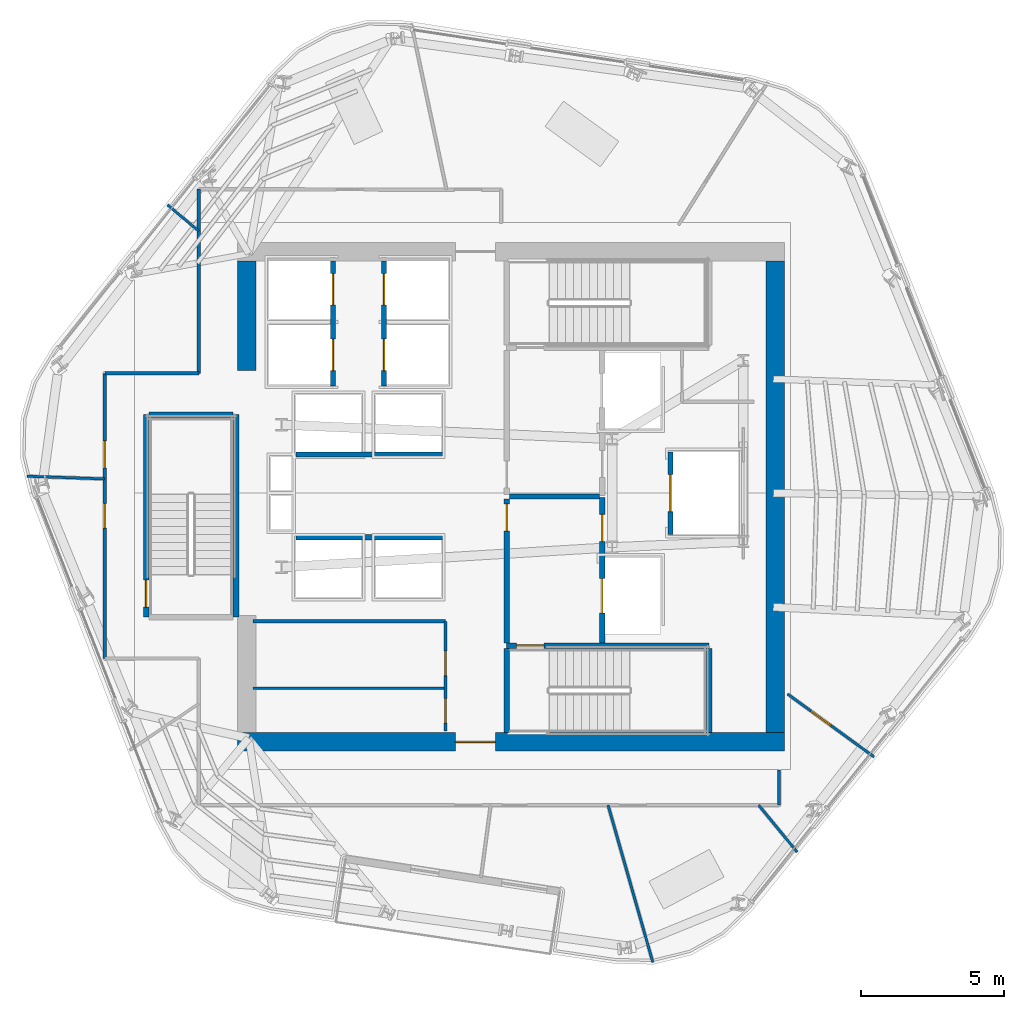
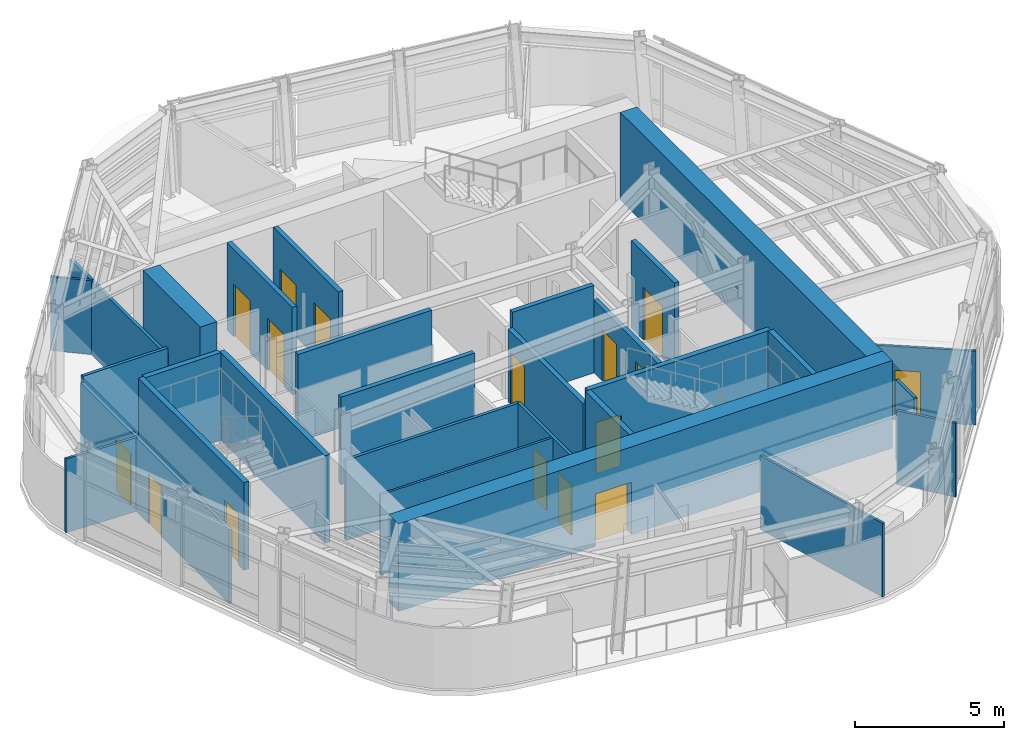
# One storey, part 6 of 12: 29 walls, 16 doors, 16 openings.
"""IFC4 building model written with IfcOpenShell, lengths in metres."""

from ifc_helpers import new_model, si_unit, direction, frame, frame_2d, origin, place, context, subcontext, project, spatial, rectangle, extrude, material, layer, layer_set, type_object, element, fill, save


model = new_model("IFC4")

# Units and contexts
model_context = context("Model", 3, precision=1e-05, world=origin(), true_north=direction((0.0, 1.0)))
body_context = subcontext(model_context, "Body", "Model", "MODEL_VIEW")
ifc_project = project(units=[si_unit("LENGTHUNIT", "METRE"), si_unit("AREAUNIT", "SQUARE_METRE"), si_unit("VOLUMEUNIT", "CUBIC_METRE"), si_unit("PLANEANGLEUNIT", "RADIAN"), si_unit("MASSUNIT", "GRAM", prefix="KILO")], contexts=[model_context])

# Site, building, storey
site_placement = place(None, origin())
site = spatial("IfcSite", under=ifc_project, at=site_placement, CompositionType="ELEMENT")
building_placement = place(site_placement, origin())
building = spatial("IfcBuilding", under=site, at=building_placement, Name="Valkerne Bourse Tower", CompositionType="ELEMENT")
storey_placement = place(building_placement, frame((0.0, 0.0, 243.60009765625)))
storey = spatial("IfcBuildingStorey", under=building, at=storey_placement, Name="L62", CompositionType="ELEMENT", Elevation=243.60009765625)

# Wall, opening, door
ifc_material_1 = material(Name="Concrete C55/67", Category="concrete")
ifc_layer_1 = layer(ifc_material_1, 0.64990234375)
ifc_layer_set_1 = layer_set([ifc_layer_1], Name="Concrete C55/67")
wall_type_1 = type_object("IfcWallType", Name="W-CORE-650", PredefinedType="SHEAR", material=ifc_layer_set_1)
wall_1_placement = place(storey_placement, frame((37.199951171875, 18.27490234375, 0.0), z_axis=(0.0, 0.0, 1.0), x_axis=(1.0, 0.0, 0.0)))
wall_1 = element("IfcWall", 1, at=wall_1_placement, inside=storey, type_object=wall_type_1, Name="L62 Core Shear Wall SOUTH", PredefinedType="SHEAR", context=body_context, shape_type="SweptSolid", body=[
    extrude(rectangle(XDim=19.199951171875, YDim=0.64990234375, at=frame_2d((9.60009765625, 0.0))), origin(), (0.0, 0.0, 1.0), 3.599853515625),
])
opening_1_placement = place(wall_1_placement, frame((7.64990234375, 0.0, 0.0)))
opening_1 = element("IfcOpeningElement", 2, at=opening_1_placement, cuts=wall_1, Name="Opening D-PL-1400", PredefinedType="OPENING", context=body_context, shape_type="SweptSolid", body=[
    extrude(rectangle(XDim=1.39990234375, YDim=2.14990234375, at=frame_2d((0.699951171875, 1.074951171875))), frame((0.0, 0.3349609375, 0.0), z_axis=(0.0, -1.0, 0.0), x_axis=(1.0, 0.0, 0.0)), (0.0, 0.0, 1.0), 0.669921875),
])
ifc_material_2 = material(Name="Galvanised Painted Steel", Category="steel")
door_type_1 = type_object("IfcDoorType", Name="DR-PLT-1400", OperationType="DOUBLE_DOOR_SINGLE_SWING", PredefinedType="DOOR", material=ifc_material_2)
door_1_placement = place(opening_1_placement, origin())
door_1 = element("IfcDoor", 3, at=door_1_placement, inside=storey, type_object=door_type_1, Name="L62 South Passenger Lift Hall Fire Door", OperationType="DOUBLE_DOOR_SINGLE_SWING", OverallHeight=2.14990234375, OverallWidth=1.39990234375, PredefinedType="DOOR", context=body_context, shape_type="SweptSolid", body=[
    extrude(rectangle(XDim=1.39990234375, YDim=2.14990234375, at=frame_2d((0.699951171875, 1.074951171875))), frame((0.0, 0.02490234375, 0.0), z_axis=(0.0, -1.0, 0.0), x_axis=(1.0, 0.0, 0.0)), (0.0, 0.0, 1.0), 0.050048828125),
])
fill(opening_1, door_1)

# Walls
wall_2_placement = place(storey_placement, frame((56.074951171875, 18.60009765625, 0.0), z_axis=(0.0, 0.0, 1.0), x_axis=(0.0, 1.0, 0.0)))
element("IfcWall", 4, at=wall_2_placement, inside=storey, type_object=wall_type_1, Name="L62 Core Shear Wall EAST", PredefinedType="SHEAR", context=body_context, shape_type="SweptSolid", body=[
    extrude(rectangle(XDim=16.5498046875, YDim=0.64990234375, at=frame_2d((8.27490234375, 0.0))), origin(), (0.0, 0.0, 1.0), 3.599853515625),
])
wall_3_placement = place(storey_placement, frame((37.52490234375, 31.300048828125, 0.0), z_axis=(0.0, 0.0, 1.0), x_axis=(0.0, 1.0, 0.0)))
element("IfcWall", 5, at=wall_3_placement, inside=storey, type_object=wall_type_1, Name="L62 Core Shear Wall WEST-N", PredefinedType="SHEAR", context=body_context, shape_type="SweptSolid", body=[
    extrude(rectangle(XDim=3.849853515625, YDim=0.64990234375, at=frame_2d((1.9248046875, 0.0))), origin(), (0.0, 0.0, 1.0), 3.599853515625),
])

# Wall, openings, doors
ifc_material_3 = material(Name="Gypsum Board Steel-Stud Partition", Category="steel")
ifc_layer_2 = layer(ifc_material_3, 0.117919921875)
ifc_layer_set_2 = layer_set([ifc_layer_2], Name="Gypsum Board Steel-Stud Partition")
wall_type_2 = type_object("IfcWallType", Name="W-CORR-140", PredefinedType="PARTITIONING", material=ifc_layer_set_2)
wall_4_placement = place(storey_placement, frame((44.5, 18.64990234375, 0.0), z_axis=(0.0, 0.0, 1.0), x_axis=(0.0, 1.0, 0.0)))
wall_4 = element("IfcWall", 6, at=wall_4_placement, inside=storey, type_object=wall_type_2, Name="L62 LV7 Low-Bank East Wall", PredefinedType="PARTITIONING", context=body_context, shape_type="SweptSolid", body=[
    extrude(rectangle(XDim=3.85009765625, YDim=0.117919921875, at=frame_2d((1.925048828125, 0.0))), origin(), (0.0, 0.0, 1.0), 3.2998046875),
])
opening_2_placement = place(wall_4_placement, frame((0.280029296875, 0.0, 0.0)))
opening_2 = element("IfcOpeningElement", 7, at=opening_2_placement, cuts=wall_4, Name="Opening D-WC-900", PredefinedType="OPENING", context=body_context, shape_type="SweptSolid", body=[
    extrude(rectangle(XDim=0.860107421875, YDim=2.050048828125, at=frame_2d((0.43017578125, 1.02490234375))), frame((0.0, 0.06884765625, 0.0), z_axis=(0.0, -1.0, 0.0), x_axis=(1.0, 0.0, 0.0)), (0.0, 0.0, 1.0), 0.137939453125),
])
opening_3_placement = place(wall_4_placement, frame((1.949951171875, 0.0, 0.0)))
opening_3 = element("IfcOpeningElement", 8, at=opening_3_placement, cuts=wall_4, Name="Opening D-WC-900", PredefinedType="OPENING", context=body_context, shape_type="SweptSolid", body=[
    extrude(rectangle(XDim=0.860107421875, YDim=2.050048828125, at=frame_2d((0.43017578125, 1.02490234375))), frame((0.0, 0.06884765625, 0.0), z_axis=(0.0, -1.0, 0.0), x_axis=(1.0, 0.0, 0.0)), (0.0, 0.0, 1.0), 0.137939453125),
])
ifc_material_4 = material(Name="Architectural White Oak Timber", Category="wood")
door_type_2 = type_object("IfcDoorType", Name="DR-WC-900", OperationType="NOTDEFINED", PredefinedType="DOOR", material=ifc_material_4)
door_2_placement = place(opening_2_placement, origin())
door_2 = element("IfcDoor", 9, at=door_2_placement, inside=storey, type_object=door_type_2, Name="L62 Tea Pantry Door", OperationType="SINGLE_SWING_RIGHT", OverallHeight=2.050048828125, OverallWidth=0.860107421875, PredefinedType="DOOR", context=body_context, shape_type="SweptSolid", body=[
    extrude(rectangle(XDim=0.860107421875, YDim=2.050048828125, at=frame_2d((0.43017578125, 1.02490234375))), frame((0.0, 0.02490234375, 0.0), z_axis=(0.0, -1.0, 0.0), x_axis=(1.0, 0.0, 0.0)), (0.0, 0.0, 1.0), 0.050048828125),
])
fill(opening_2, door_2)
door_3_placement = place(opening_3_placement, origin())
door_3 = element("IfcDoor", 10, at=door_3_placement, inside=storey, type_object=door_type_2, Name="L62 Portfolio Risk Office Door", OperationType="SINGLE_SWING_RIGHT", OverallHeight=2.050048828125, OverallWidth=0.860107421875, PredefinedType="DOOR", context=body_context, shape_type="SweptSolid", body=[
    extrude(rectangle(XDim=0.860107421875, YDim=2.050048828125, at=frame_2d((0.43017578125, 1.02490234375))), frame((0.0, 0.02490234375, 0.0), z_axis=(0.0, -1.0, 0.0), x_axis=(1.0, 0.0, 0.0)), (0.0, 0.0, 1.0), 0.050048828125),
])
fill(opening_3, door_3)

# Wall
wall_5_placement = place(storey_placement, frame((37.75, 22.5, 0.0), z_axis=(0.0, 0.0, 1.0), x_axis=(1.0, 0.0, 0.0)))
element("IfcWall", 11, at=wall_5_placement, inside=storey, type_object=wall_type_2, Name="L62 LV7 Low-Bank North Wall", PredefinedType="PARTITIONING", context=body_context, shape_type="SweptSolid", body=[
    extrude(rectangle(XDim=6.75, YDim=0.117919921875, at=frame_2d((3.375, 0.0))), origin(), (0.0, 0.0, 1.0), 3.2998046875),
])

# Wall, openings, doors
wall_6_placement = place(storey_placement, frame((32.550048828125, 21.199951171875, 0.0), z_axis=(0.0, 0.0, 1.0), x_axis=(0.0, 1.0, 0.0)))
wall_6 = element("IfcWall", 12, at=wall_6_placement, inside=storey, type_object=wall_type_2, Name="L62 Corridor Enclosure Wall", PredefinedType="PARTITIONING", context=body_context, shape_type="SweptSolid", body=[
    extrude(rectangle(XDim=10.0, YDim=0.117919921875, at=frame_2d((5.0, 0.0))), origin(), (0.0, 0.0, 1.0), 3.0361328125),
])
opening_4_placement = place(wall_6_placement, frame((4.570068359375, 0.0, 0.0)))
opening_4 = element("IfcOpeningElement", 13, at=opening_4_placement, cuts=wall_6, Name="Opening D-WC-900", PredefinedType="OPENING", context=body_context, shape_type="SweptSolid", body=[
    extrude(rectangle(XDim=0.860107421875, YDim=2.050048828125, at=frame_2d((0.43017578125, 1.02490234375))), frame((0.0, 0.06884765625, 0.0), z_axis=(0.0, -1.0, 0.0), x_axis=(1.0, 0.0, 0.0)), (0.0, 0.0, 1.0), 0.137939453125),
])
opening_5_placement = place(wall_6_placement, frame((6.68505859375, 0.0, 0.0)))
opening_5 = element("IfcOpeningElement", 14, at=opening_5_placement, cuts=wall_6, Name="Opening D-OF-950", PredefinedType="OPENING", context=body_context, shape_type="SweptSolid", body=[
    extrude(rectangle(XDim=0.949951171875, YDim=2.10009765625, at=frame_2d((0.47509765625, 1.050048828125))), frame((0.0, 0.06884765625, 0.0), z_axis=(0.0, -1.0, 0.0), x_axis=(1.0, 0.0, 0.0)), (0.0, 0.0, 1.0), 0.137939453125),
])
door_type_3 = type_object("IfcDoorType", Name="DR-OFF-950", OperationType="NOTDEFINED", PredefinedType="DOOR", material=ifc_material_4)
door_4_placement = place(opening_5_placement, origin())
door_4 = element("IfcDoor", 15, at=door_4_placement, inside=storey, type_object=door_type_3, Name="L62 L62 VIP Client Concierge Reception 4 Door", OperationType="SINGLE_SWING_LEFT", OverallHeight=2.10009765625, OverallWidth=0.949951171875, PredefinedType="DOOR", context=body_context, shape_type="SweptSolid", body=[
    extrude(rectangle(XDim=0.949951171875, YDim=2.10009765625, at=frame_2d((0.47509765625, 1.050048828125))), frame((0.0, 0.02490234375, 0.0), z_axis=(0.0, -1.0, 0.0), x_axis=(1.0, 0.0, 0.0)), (0.0, 0.0, 1.0), 0.050048828125),
])
fill(opening_5, door_4)
door_5_placement = place(opening_4_placement, origin())
door_5 = element("IfcDoor", 16, at=door_5_placement, inside=storey, type_object=door_type_2, Name="L62 L62 Men Bathroom WC 1 Door", OperationType="SINGLE_SWING_RIGHT", OverallHeight=2.050048828125, OverallWidth=0.860107421875, PredefinedType="DOOR", context=body_context, shape_type="SweptSolid", body=[
    extrude(rectangle(XDim=0.860107421875, YDim=2.050048828125, at=frame_2d((0.43017578125, 1.02490234375))), frame((0.0, 0.02490234375, 0.0), z_axis=(0.0, -1.0, 0.0), x_axis=(1.0, 0.0, 0.0)), (0.0, 0.0, 1.0), 0.050048828125),
])
fill(opening_4, door_5)

# Walls
wall_7_placement = place(storey_placement, frame((32.550048828125, 31.199951171875, 0.0), z_axis=(0.0, 0.0, 1.0), x_axis=(1.0, 0.0, 0.0)))
element("IfcWall", 17, at=wall_7_placement, inside=storey, type_object=wall_type_2, Name="L62 Corridor Enclosure Wall", PredefinedType="PARTITIONING", context=body_context, shape_type="SweptSolid", body=[
    extrude(rectangle(XDim=3.300048828125, YDim=0.117919921875, at=frame_2d((1.64990234375, 0.0))), origin(), (0.0, 0.0, 1.0), 3.2998046875),
])
wall_8_placement = place(storey_placement, frame((35.85009765625, 31.199951171875, 0.0), z_axis=(0.0, 0.0, 1.0), x_axis=(0.0, 1.0, 0.0)))
element("IfcWall", 18, at=wall_8_placement, inside=storey, type_object=wall_type_2, Name="L62 Corridor Enclosure Wall", PredefinedType="PARTITIONING", context=body_context, shape_type="SweptSolid", body=[
    extrude(rectangle(XDim=6.4599609375, YDim=0.117919921875, at=frame_2d((3.22998046875, 0.0))), origin(), (0.0, 0.0, 1.0), 3.0361328125),
])
wall_9_placement = place(storey_placement, frame((56.199951171875, 17.2900390625, 0.0), z_axis=(0.0, 0.0, 1.0), x_axis=(0.0, -1.0, 0.0)))
element("IfcWall", 19, at=wall_9_placement, inside=storey, type_object=wall_type_2, Name="L62 Corridor Enclosure Wall", PredefinedType="PARTITIONING", context=body_context, shape_type="SweptSolid", body=[
    extrude(rectangle(XDim=1.22998046875, YDim=0.117919921875, at=frame_2d((0.614990234375, 0.0))), origin(), (0.0, 0.0, 1.0), 3.2998046875),
])
ifc_material_5 = material(Name="Gypsum Fire-Rated Shaftwall", Category="gypsum")
ifc_layer_3 = layer(ifc_material_5, 0.179931640625)
ifc_layer_set_3 = layer_set([ifc_layer_3], Name="Gypsum Fire-Rated Shaftwall")
wall_type_3 = type_object("IfcWallType", Name="W-FSAE-180", PredefinedType="PARTITIONING", material=ifc_layer_set_3)
wall_10_placement = place(storey_placement, frame((46.739990234375, 26.8798828125, 0.0), z_axis=(0.0, 0.0, 1.0), x_axis=(1.0, 0.0, 0.0)))
element("IfcWall", 20, at=wall_10_placement, inside=storey, type_object=wall_type_3, Name="L62 FSAE-1/2 Lobby Dividing Fire Wall", PredefinedType="PARTITIONING", context=body_context, shape_type="SweptSolid", body=[
    extrude(rectangle(XDim=3.169921875, YDim=0.179931640625, at=frame_2d((1.5849609375, 0.0))), origin(), (0.0, 0.0, 1.0), 3.599853515625),
])

# Wall, opening, door
wall_11_placement = place(storey_placement, frame((46.64990234375, 21.75, 0.0), z_axis=(0.0, 0.0, 1.0), x_axis=(0.0, 1.0, 0.0)))
wall_11 = element("IfcWall", 21, at=wall_11_placement, inside=storey, type_object=wall_type_3, Name="L62 FSAE-1 Lobby West Fire Wall", PredefinedType="PARTITIONING", context=body_context, shape_type="SweptSolid", body=[
    extrude(rectangle(XDim=5.050048828125, YDim=0.179931640625, at=frame_2d((2.52490234375, 0.0))), origin(), (0.0, 0.0, 1.0), 2.977783203125),
])
opening_6_placement = place(wall_11_placement, frame((3.919921875, 0.0, 0.0)))
opening_6 = element("IfcOpeningElement", 22, at=opening_6_placement, cuts=wall_11, Name="Opening D-FS-950", PredefinedType="OPENING", context=body_context, shape_type="SweptSolid", body=[
    extrude(rectangle(XDim=0.949951171875, YDim=2.10009765625, at=frame_2d((0.47509765625, 1.050048828125))), frame((0.0, 0.099853515625, 0.0), z_axis=(0.0, -1.0, 0.0), x_axis=(1.0, 0.0, 0.0)), (0.0, 0.0, 1.0), 0.199951171875),
])
door_type_4 = type_object("IfcDoorType", Name="DR-FSAE-950", OperationType="NOTDEFINED", PredefinedType="DOOR", material=ifc_material_2)
door_6_placement = place(opening_6_placement, origin())
door_6 = element("IfcDoor", 23, at=door_6_placement, inside=storey, type_object=door_type_4, Name="L62 FSAE-1 Hall Link Fire Door", OperationType="SINGLE_SWING_RIGHT", OverallHeight=2.10009765625, OverallWidth=0.949951171875, PredefinedType="DOOR", context=body_context, shape_type="SweptSolid", body=[
    extrude(rectangle(XDim=0.949951171875, YDim=2.10009765625, at=frame_2d((0.47509765625, 1.050048828125))), frame((0.0, 0.02490234375, 0.0), z_axis=(0.0, -1.0, 0.0), x_axis=(1.0, 0.0, 0.0)), (0.0, 0.0, 1.0), 0.050048828125),
])
fill(opening_6, door_6)

# Wall, openings, doors
wall_12_placement = place(storey_placement, frame((50.0, 21.75, 0.0), z_axis=(0.0, 0.0, 1.0), x_axis=(0.0, 1.0, 0.0)))
wall_12 = element("IfcWall", 24, at=wall_12_placement, inside=storey, type_object=wall_type_3, Name="L62 FSAE-1 Lobby & Shaft Front Wall", PredefinedType="PARTITIONING", context=body_context, shape_type="SweptSolid", body=[
    extrude(rectangle(XDim=5.090087890625, YDim=0.179931640625, at=frame_2d((2.544921875, 0.0))), origin(), (0.0, 0.0, 1.0), 2.977783203125),
])
opening_7_placement = place(wall_12_placement, frame((1.050048828125, 0.0, 0.0)))
opening_7 = element("IfcOpeningElement", 25, at=opening_7_placement, cuts=wall_12, Name="Opening LD-1200", PredefinedType="OPENING", context=body_context, shape_type="SweptSolid", body=[
    extrude(rectangle(XDim=1.199951171875, YDim=2.14990234375, at=frame_2d((0.60009765625, 1.074951171875))), frame((0.0, 0.099853515625, 0.0), z_axis=(0.0, -1.0, 0.0), x_axis=(1.0, 0.0, 0.0)), (0.0, 0.0, 1.0), 0.199951171875),
])
opening_8_placement = place(wall_12_placement, frame((3.550048828125, 0.0, 0.0)))
opening_8 = element("IfcOpeningElement", 26, at=opening_8_placement, cuts=wall_12, Name="Opening D-FS-950", PredefinedType="OPENING", context=body_context, shape_type="SweptSolid", body=[
    extrude(rectangle(XDim=0.949951171875, YDim=2.10009765625, at=frame_2d((0.47509765625, 1.050048828125))), frame((0.0, 0.099853515625, 0.0), z_axis=(0.0, -1.0, 0.0), x_axis=(1.0, 0.0, 0.0)), (0.0, 0.0, 1.0), 0.199951171875),
])
door_7_placement = place(opening_8_placement, origin())
door_7 = element("IfcDoor", 27, at=door_7_placement, inside=storey, type_object=door_type_4, Name="L62 FSAE-1 Lobby Corridor Fire Door", OperationType="SINGLE_SWING_RIGHT", OverallHeight=2.10009765625, OverallWidth=0.949951171875, PredefinedType="DOOR", context=body_context, shape_type="SweptSolid", body=[
    extrude(rectangle(XDim=0.949951171875, YDim=2.10009765625, at=frame_2d((0.47509765625, 1.050048828125))), frame((0.0, 0.02490234375, 0.0), z_axis=(0.0, -1.0, 0.0), x_axis=(1.0, 0.0, 0.0)), (0.0, 0.0, 1.0), 0.050048828125),
])
fill(opening_8, door_7)
ifc_material_6 = material(Name="Stainless Steel AISI 316", Category="steel")
door_type_5 = type_object("IfcDoorType", Name="DR-LIFT-1200", OperationType="DOUBLE_DOOR_SLIDING", PredefinedType="DOOR", material=ifc_material_6)
door_8_placement = place(opening_7_placement, origin())
door_8 = element("IfcDoor", 28, at=door_8_placement, inside=storey, type_object=door_type_5, Name="L62 FSAE-1 Firefighting Lift Landing Door", OperationType="DOUBLE_DOOR_SLIDING", OverallHeight=2.14990234375, OverallWidth=1.199951171875, PredefinedType="DOOR", context=body_context, shape_type="SweptSolid", body=[
    extrude(rectangle(XDim=1.199951171875, YDim=2.14990234375, at=frame_2d((0.60009765625, 1.074951171875))), frame((0.0, 0.02490234375, 0.0), z_axis=(0.0, -1.0, 0.0), x_axis=(1.0, 0.0, 0.0)), (0.0, 0.0, 1.0), 0.050048828125),
])
fill(opening_7, door_8)

# Wall, opening, door
ifc_material_7 = material(Name="CMU Blockwork Masonry 200mm", Category="masonry")
ifc_layer_4 = layer(ifc_material_7, 0.179931640625)
ifc_layer_set_4 = layer_set([ifc_layer_4], Name="CMU Blockwork Masonry 200mm")
wall_type_4 = type_object("IfcWallType", Name="W-LFT-180", PredefinedType="SOLIDWALL", material=ifc_layer_set_4)
wall_13_placement = place(storey_placement, frame((52.39990234375, 25.550048828125, 0.0), z_axis=(0.0, 0.0, 1.0), x_axis=(0.0, 1.0, 0.0)))
wall_13 = element("IfcWall", 29, at=wall_13_placement, inside=storey, type_object=wall_type_4, Name="L62 Service Lift SV-1 Front Wall", PredefinedType="SOLIDWALL", context=body_context, shape_type="SweptSolid", body=[
    extrude(rectangle(XDim=2.89990234375, YDim=0.179931640625, at=frame_2d((1.449951171875, 0.0))), origin(), (0.0, 0.0, 1.0), 3.599853515625),
])
opening_9_placement = place(wall_13_placement, frame((0.800048828125, 0.0, 0.0)))
opening_9 = element("IfcOpeningElement", 30, at=opening_9_placement, cuts=wall_13, Name="Opening LD-1300", PredefinedType="OPENING", context=body_context, shape_type="SweptSolid", body=[
    extrude(rectangle(XDim=1.300048828125, YDim=2.14990234375, at=frame_2d((0.64990234375, 1.074951171875))), frame((0.0, 0.099853515625, 0.0), z_axis=(0.0, -1.0, 0.0), x_axis=(1.0, 0.0, 0.0)), (0.0, 0.0, 1.0), 0.199951171875),
])
door_type_6 = type_object("IfcDoorType", Name="DR-LIFT-1300", OperationType="DOUBLE_DOOR_SLIDING", PredefinedType="DOOR", material=ifc_material_6)
door_9_placement = place(opening_9_placement, origin())
door_9 = element("IfcDoor", 31, at=door_9_placement, inside=storey, type_object=door_type_6, Name="L62 Service Lift SV-1 Landing Door", OperationType="DOUBLE_DOOR_SLIDING", OverallHeight=2.14990234375, OverallWidth=1.300048828125, PredefinedType="DOOR", context=body_context, shape_type="SweptSolid", body=[
    extrude(rectangle(XDim=1.300048828125, YDim=2.14990234375, at=frame_2d((0.64990234375, 1.074951171875))), frame((0.0, 0.02490234375, 0.0), z_axis=(0.0, -1.0, 0.0), x_axis=(1.0, 0.0, 0.0)), (0.0, 0.0, 1.0), 0.050048828125),
])
fill(opening_9, door_9)

# Wall, openings, doors
wall_14_placement = place(storey_placement, frame((40.550048828125, 30.75, 0.0), z_axis=(0.0, 0.0, 1.0), x_axis=(0.0, 1.0, 0.0)))
wall_14 = element("IfcWall", 32, at=wall_14_placement, inside=storey, type_object=wall_type_4, Name="L62 Mid-Zone West Cars Front Wall", PredefinedType="SOLIDWALL", context=body_context, shape_type="SweptSolid", body=[
    extrude(rectangle(XDim=4.39990234375, YDim=0.179931640625, at=frame_2d((2.199951171875, 0.0))), origin(), (0.0, 0.0, 1.0), 3.599853515625),
])
opening_10_placement = place(wall_14_placement, frame((0.550048828125, 0.0, 0.0)))
opening_10 = element("IfcOpeningElement", 33, at=opening_10_placement, cuts=wall_14, Name="Opening LD-1100", PredefinedType="OPENING", context=body_context, shape_type="SweptSolid", body=[
    extrude(rectangle(XDim=1.10009765625, YDim=2.14990234375, at=frame_2d((0.550048828125, 1.074951171875))), frame((0.0, 0.099853515625, 0.0), z_axis=(0.0, -1.0, 0.0), x_axis=(1.0, 0.0, 0.0)), (0.0, 0.0, 1.0), 0.199951171875),
])
opening_11_placement = place(wall_14_placement, frame((2.85009765625, 0.0, 0.0)))
opening_11 = element("IfcOpeningElement", 34, at=opening_11_placement, cuts=wall_14, Name="Opening LD-1100", PredefinedType="OPENING", context=body_context, shape_type="SweptSolid", body=[
    extrude(rectangle(XDim=1.10009765625, YDim=2.14990234375, at=frame_2d((0.550048828125, 1.074951171875))), frame((0.0, 0.099853515625, 0.0), z_axis=(0.0, -1.0, 0.0), x_axis=(1.0, 0.0, 0.0)), (0.0, 0.0, 1.0), 0.199951171875),
])
door_type_7 = type_object("IfcDoorType", Name="DR-LIFT-1100", OperationType="DOUBLE_DOOR_SLIDING", PredefinedType="DOOR", material=ifc_material_6)
door_10_placement = place(opening_10_placement, origin())
door_10 = element("IfcDoor", 35, at=door_10_placement, inside=storey, type_object=door_type_7, Name="L62 Passenger Lift PL-M1 Sliding Landing Door", OperationType="DOUBLE_DOOR_SLIDING", OverallHeight=2.14990234375, OverallWidth=1.10009765625, PredefinedType="DOOR", context=body_context, shape_type="SweptSolid", body=[
    extrude(rectangle(XDim=1.10009765625, YDim=2.14990234375, at=frame_2d((0.550048828125, 1.074951171875))), frame((0.0, 0.02490234375, 0.0), z_axis=(0.0, -1.0, 0.0), x_axis=(1.0, 0.0, 0.0)), (0.0, 0.0, 1.0), 0.050048828125),
])
fill(opening_10, door_10)
door_11_placement = place(opening_11_placement, origin())
door_11 = element("IfcDoor", 36, at=door_11_placement, inside=storey, type_object=door_type_7, Name="L62 Passenger Lift PL-M2 Sliding Landing Door", OperationType="DOUBLE_DOOR_SLIDING", OverallHeight=2.14990234375, OverallWidth=1.10009765625, PredefinedType="DOOR", context=body_context, shape_type="SweptSolid", body=[
    extrude(rectangle(XDim=1.10009765625, YDim=2.14990234375, at=frame_2d((0.550048828125, 1.074951171875))), frame((0.0, 0.02490234375, 0.0), z_axis=(0.0, -1.0, 0.0), x_axis=(1.0, 0.0, 0.0)), (0.0, 0.0, 1.0), 0.050048828125),
])
fill(opening_11, door_11)

wall_15_placement = place(storey_placement, frame((42.35009765625, 30.75, 0.0), z_axis=(0.0, 0.0, 1.0), x_axis=(0.0, 1.0, 0.0)))
wall_15 = element("IfcWall", 37, at=wall_15_placement, inside=storey, type_object=wall_type_4, Name="L62 Mid-Zone East Cars Front Wall", PredefinedType="SOLIDWALL", context=body_context, shape_type="SweptSolid", body=[
    extrude(rectangle(XDim=4.39990234375, YDim=0.179931640625, at=frame_2d((2.199951171875, 0.0))), origin(), (0.0, 0.0, 1.0), 3.599853515625),
])
opening_12_placement = place(wall_15_placement, frame((0.550048828125, 0.0, 0.0)))
opening_12 = element("IfcOpeningElement", 38, at=opening_12_placement, cuts=wall_15, Name="Opening LD-1100", PredefinedType="OPENING", context=body_context, shape_type="SweptSolid", body=[
    extrude(rectangle(XDim=1.10009765625, YDim=2.14990234375, at=frame_2d((0.550048828125, 1.074951171875))), frame((0.0, 0.099853515625, 0.0), z_axis=(0.0, -1.0, 0.0), x_axis=(1.0, 0.0, 0.0)), (0.0, 0.0, 1.0), 0.199951171875),
])
opening_13_placement = place(wall_15_placement, frame((2.85009765625, 0.0, 0.0)))
opening_13 = element("IfcOpeningElement", 39, at=opening_13_placement, cuts=wall_15, Name="Opening LD-1100", PredefinedType="OPENING", context=body_context, shape_type="SweptSolid", body=[
    extrude(rectangle(XDim=1.10009765625, YDim=2.14990234375, at=frame_2d((0.550048828125, 1.074951171875))), frame((0.0, 0.099853515625, 0.0), z_axis=(0.0, -1.0, 0.0), x_axis=(1.0, 0.0, 0.0)), (0.0, 0.0, 1.0), 0.199951171875),
])
door_12_placement = place(opening_12_placement, origin())
door_12 = element("IfcDoor", 40, at=door_12_placement, inside=storey, type_object=door_type_7, Name="L62 Passenger Lift PL-M3 Sliding Landing Door", OperationType="DOUBLE_DOOR_SLIDING", OverallHeight=2.14990234375, OverallWidth=1.10009765625, PredefinedType="DOOR", context=body_context, shape_type="SweptSolid", body=[
    extrude(rectangle(XDim=1.10009765625, YDim=2.14990234375, at=frame_2d((0.550048828125, 1.074951171875))), frame((0.0, 0.02490234375, 0.0), z_axis=(0.0, -1.0, 0.0), x_axis=(1.0, 0.0, 0.0)), (0.0, 0.0, 1.0), 0.050048828125),
])
fill(opening_12, door_12)
door_13_placement = place(opening_13_placement, origin())
door_13 = element("IfcDoor", 41, at=door_13_placement, inside=storey, type_object=door_type_7, Name="L62 Passenger Lift PL-M4 Sliding Landing Door", OperationType="DOUBLE_DOOR_SLIDING", OverallHeight=2.14990234375, OverallWidth=1.10009765625, PredefinedType="DOOR", context=body_context, shape_type="SweptSolid", body=[
    extrude(rectangle(XDim=1.10009765625, YDim=2.14990234375, at=frame_2d((0.550048828125, 1.074951171875))), frame((0.0, 0.02490234375, 0.0), z_axis=(0.0, -1.0, 0.0), x_axis=(1.0, 0.0, 0.0)), (0.0, 0.0, 1.0), 0.050048828125),
])
fill(opening_13, door_13)

# Walls
for number, where, z_axis, x_axis, name in (
    (42, (39.25, 25.449951171875, 0.0), (0.0, 0.0, 1.0), (1.0, 0.0, 0.0), "L62 High-Zone South Cars Front Wall"),
    (43, (39.25, 28.35009765625, 0.0), (0.0, 0.0, 1.0), (1.0, 0.0, 0.0), "L62 High-Zone North Cars Front Wall"),
):
    element("IfcWall", number, at=place(storey_placement, frame(where, z_axis=z_axis, x_axis=x_axis)), inside=storey, type_object=wall_type_4, Name=name, PredefinedType="SOLIDWALL", context=body_context, shape_type="SweptSolid", body=[
        extrude(rectangle(XDim=5.199951171875, YDim=0.179931640625, at=frame_2d((2.60009765625, 0.0))), origin(), (0.0, 0.0, 1.0), 3.599853515625),
    ])
ifc_layer_5 = layer(ifc_material_3, 0.092041015625)
ifc_layer_set_5 = layer_set([ifc_layer_5], Name="Gypsum Board Steel-Stud Partition")
wall_type_5 = type_object("IfcWallType", Name="W-PART-115", PredefinedType="PARTITIONING", material=ifc_layer_set_5)
wall_16_placement = place(storey_placement, frame((37.75, 20.14990234375, 0.0), z_axis=(0.0, 0.0, 1.0), x_axis=(1.0, 0.0, 0.0)))
element("IfcWall", 44, at=wall_16_placement, inside=storey, type_object=wall_type_5, Name="L62 LV7 Low-Bank Sub-Divider", PredefinedType="PARTITIONING", context=body_context, shape_type="SweptSolid", body=[
    extrude(rectangle(XDim=6.75, YDim=0.092041015625, at=frame_2d((3.375, 0.0))), origin(), (0.0, 0.0, 1.0), 3.2998046875),
])
wall_17_placement = place(storey_placement, frame((50.204345703125, 16.054931640625, 0.0), z_axis=(0.0, 0.0, 1.0), x_axis=(0.273978886714, -0.961735706749, 0.0)))
element("IfcWall", 45, at=wall_17_placement, inside=storey, type_object=wall_type_5, Name="L62 Suite Partition P02", PredefinedType="PARTITIONING", context=body_context, shape_type="SweptSolid", body=[
    extrude(rectangle(XDim=5.735107421875, YDim=0.092041015625, at=frame_2d((2.86767578125, 0.0))), origin(), (0.0, 0.0, 1.0), 3.0361328125),
])
wall_18_placement = place(storey_placement, frame((55.48681640625, 16.054931640625, 0.0), z_axis=(0.0, 0.0, 1.0), x_axis=(0.63476144946, -0.772708161131, 0.0)))
element("IfcWall", 46, at=wall_18_placement, inside=storey, type_object=wall_type_5, Name="L62 Suite Partition P03", PredefinedType="PARTITIONING", context=body_context, shape_type="SweptSolid", body=[
    extrude(rectangle(XDim=2.12744140625, YDim=0.092041015625, at=frame_2d((1.063720703125, 0.0))), origin(), (0.0, 0.0, 1.0), 3.0361328125),
])

# Wall, opening, door
wall_19_placement = place(storey_placement, frame((56.5, 19.952392578125, 0.0), z_axis=(0.0, 0.0, 1.0), x_axis=(0.809017285786, -0.587784851199, 0.0)))
wall_19 = element("IfcWall", 47, at=wall_19_placement, inside=storey, type_object=wall_type_5, Name="L62 Suite Partition P04", PredefinedType="PARTITIONING", context=body_context, shape_type="SweptSolid", body=[
    extrude(rectangle(XDim=3.753173828125, YDim=0.092041015625, at=frame_2d((1.87646484375, 0.0))), origin(), (0.0, 0.0, 1.0), 3.0361328125),
])
opening_14_placement = place(wall_19_placement, frame((1.0126953125, 0.0, 0.0)))
opening_14 = element("IfcOpeningElement", 48, at=opening_14_placement, cuts=wall_19, Name="Opening D-WC-900", PredefinedType="OPENING", context=body_context, shape_type="SweptSolid", body=[
    extrude(rectangle(XDim=0.860107421875, YDim=2.050048828125, at=frame_2d((0.43017578125, 1.02490234375))), frame((0.0, 0.055908203125, 0.0), z_axis=(0.0, -1.0, 0.0), x_axis=(1.0, 0.0, 0.0)), (0.0, 0.0, 1.0), 0.112060546875),
])
door_14_placement = place(opening_14_placement, origin())
door_14 = element("IfcDoor", 49, at=door_14_placement, inside=storey, type_object=door_type_2, Name="L62 L62 Occupational Wellness Clinic 8 Suite Door", OperationType="SINGLE_SWING_LEFT", OverallHeight=2.050048828125, OverallWidth=0.860107421875, PredefinedType="DOOR", context=body_context, shape_type="SweptSolid", body=[
    extrude(rectangle(XDim=0.860107421875, YDim=2.050048828125, at=frame_2d((0.43017578125, 1.02490234375))), frame((0.0, 0.02490234375, 0.0), z_axis=(0.0, -1.0, 0.0), x_axis=(1.0, 0.0, 0.0)), (0.0, 0.0, 1.0), 0.050048828125),
])
fill(opening_14, door_14)

# Walls
wall_20_placement = place(storey_placement, frame((35.844970703125, 36.1923828125, 0.0), z_axis=(0.0, 0.0, 1.0), x_axis=(-0.766014874555, 0.642822846483, 0.0)))
element("IfcWall", 50, at=wall_20_placement, inside=storey, type_object=wall_type_5, Name="L62 Suite Partition P07", PredefinedType="PARTITIONING", context=body_context, shape_type="SweptSolid", body=[
    extrude(rectangle(XDim=1.427001953125, YDim=0.092041015625, at=frame_2d((0.71337890625, 0.0))), origin(), (0.0, 0.0, 1.0), 3.0361328125),
])
wall_21_placement = place(storey_placement, frame((32.544921875, 27.497802734375, 0.0), z_axis=(0.0, 0.0, 1.0), x_axis=(-0.999392117738, 0.034862515735, 0.0)))
element("IfcWall", 51, at=wall_21_placement, inside=storey, type_object=wall_type_5, Name="L62 Suite Partition P08", PredefinedType="PARTITIONING", context=body_context, shape_type="SweptSolid", body=[
    extrude(rectangle(XDim=2.731201171875, YDim=0.092041015625, at=frame_2d((1.36572265625, 0.0))), origin(), (0.0, 0.0, 1.0), 3.0361328125),
])

# Wall, opening, door
ifc_material_8 = material(Name="Concrete C40/50", Category="concrete")
ifc_layer_6 = layer(ifc_material_8, 0.199951171875)
ifc_layer_set_6 = layer_set([ifc_layer_6], Name="Concrete C40/50")
wall_type_6 = type_object("IfcWallType", Name="W-SHF-200", PredefinedType="SHEAR", material=ifc_layer_set_6)
wall_22_placement = place(storey_placement, frame((46.64990234375, 21.64990234375, 0.0), z_axis=(0.0, 0.0, 1.0), x_axis=(1.0, 0.0, 0.0)))
wall_22 = element("IfcWall", 52, at=wall_22_placement, inside=storey, type_object=wall_type_6, Name="L62 Exit Stair ST-1 Structural Shaft Wall North", PredefinedType="SHEAR", context=body_context, shape_type="SweptSolid", body=[
    extrude(rectangle(XDim=7.10009765625, YDim=0.199951171875, at=frame_2d((3.550048828125, 0.0))), origin(), (0.0, 0.0, 1.0), 3.599853515625),
])
opening_15_placement = place(wall_22_placement, frame((0.35009765625, 0.0, 0.0)))
opening_15 = element("IfcOpeningElement", 53, at=opening_15_placement, cuts=wall_22, Name="Opening D-ST-950", PredefinedType="OPENING", context=body_context, shape_type="SweptSolid", body=[
    extrude(rectangle(XDim=0.949951171875, YDim=2.10009765625, at=frame_2d((0.47509765625, 1.050048828125))), frame((0.0, 0.10986328125, 0.0), z_axis=(0.0, -1.0, 0.0), x_axis=(1.0, 0.0, 0.0)), (0.0, 0.0, 1.0), 0.219970703125),
])
door_type_8 = type_object("IfcDoorType", Name="DR-STAIR-950", OperationType="NOTDEFINED", PredefinedType="DOOR", material=ifc_material_2)
door_15_placement = place(opening_15_placement, origin())
door_15 = element("IfcDoor", 54, at=door_15_placement, inside=storey, type_object=door_type_8, Name="L62 Exit Stair ST-1 Door", OperationType="SINGLE_SWING_LEFT", OverallHeight=2.10009765625, OverallWidth=0.949951171875, PredefinedType="DOOR", context=body_context, shape_type="SweptSolid", body=[
    extrude(rectangle(XDim=0.949951171875, YDim=2.10009765625, at=frame_2d((0.47509765625, 1.050048828125))), frame((0.0, 0.02490234375, 0.0), z_axis=(0.0, -1.0, 0.0), x_axis=(1.0, 0.0, 0.0)), (0.0, 0.0, 1.0), 0.050048828125),
])
fill(opening_15, door_15)

# Walls
for number, where, z_axis, x_axis, name in (
    (55, (46.64990234375, 18.60009765625, 0.0), (0.0, 0.0, 1.0), (0.0, 1.0, 0.0), "L62 Exit Stair ST-1 Structural Shaft Wall West"),
    (56, (53.75, 18.60009765625, 0.0), (0.0, 0.0, 1.0), (0.0, 1.0, 0.0), "L62 Exit Stair ST-1 Structural Shaft Wall East"),
):
    element("IfcWall", number, at=place(storey_placement, frame(where, z_axis=z_axis, x_axis=x_axis)), inside=storey, type_object=wall_type_6, Name=name, PredefinedType="SHEAR", context=body_context, shape_type="SweptSolid", body=[
        extrude(rectangle(XDim=2.949951171875, YDim=0.199951171875, at=frame_2d((1.47509765625, 0.0))), origin(), (0.0, 0.0, 1.0), 3.599853515625),
    ])

# Wall, opening, door
wall_23_placement = place(storey_placement, frame((34.0, 22.64990234375, 0.0), z_axis=(0.0, 0.0, 1.0), x_axis=(0.0, 1.0, 0.0)))
wall_23 = element("IfcWall", 57, at=wall_23_placement, inside=storey, type_object=wall_type_6, Name="L62 Exit Stair ST-3 Structural Shaft Wall West", PredefinedType="SHEAR", context=body_context, shape_type="SweptSolid", body=[
    extrude(rectangle(XDim=7.10009765625, YDim=0.199951171875, at=frame_2d((3.550048828125, 0.0))), origin(), (0.0, 0.0, 1.0), 3.599853515625),
])
opening_16_placement = place(wall_23_placement, frame((0.35009765625, 0.0, 0.0)))
opening_16 = element("IfcOpeningElement", 58, at=opening_16_placement, cuts=wall_23, Name="Opening D-ST-950", PredefinedType="OPENING", context=body_context, shape_type="SweptSolid", body=[
    extrude(rectangle(XDim=0.949951171875, YDim=2.10009765625, at=frame_2d((0.47509765625, 1.050048828125))), frame((0.0, 0.10986328125, 0.0), z_axis=(0.0, -1.0, 0.0), x_axis=(1.0, 0.0, 0.0)), (0.0, 0.0, 1.0), 0.219970703125),
])
door_16_placement = place(opening_16_placement, origin())
door_16 = element("IfcDoor", 59, at=door_16_placement, inside=storey, type_object=door_type_8, Name="L62 Exit Stair ST-3 Door", OperationType="SINGLE_SWING_LEFT", OverallHeight=2.10009765625, OverallWidth=0.949951171875, PredefinedType="DOOR", context=body_context, shape_type="SweptSolid", body=[
    extrude(rectangle(XDim=0.949951171875, YDim=2.10009765625, at=frame_2d((0.47509765625, 1.050048828125))), frame((0.0, 0.02490234375, 0.0), z_axis=(0.0, -1.0, 0.0), x_axis=(1.0, 0.0, 0.0)), (0.0, 0.0, 1.0), 0.050048828125),
])
fill(opening_16, door_16)

# Walls
wall_24_placement = place(storey_placement, frame((34.10009765625, 29.75, 0.0), z_axis=(0.0, 0.0, 1.0), x_axis=(1.0, 0.0, 0.0)))
element("IfcWall", 60, at=wall_24_placement, inside=storey, type_object=wall_type_6, Name="L62 Exit Stair ST-3 Structural Shaft Wall North", PredefinedType="SHEAR", context=body_context, shape_type="SweptSolid", body=[
    extrude(rectangle(XDim=2.949951171875, YDim=0.199951171875, at=frame_2d((1.47509765625, 0.0))), origin(), (0.0, 0.0, 1.0), 3.599853515625),
])
wall_25_placement = place(storey_placement, frame((37.14990234375, 22.64990234375, 0.0), z_axis=(0.0, 0.0, 1.0), x_axis=(0.0, 1.0, 0.0)))
element("IfcWall", 61, at=wall_25_placement, inside=storey, type_object=wall_type_6, Name="L62 Exit Stair ST-3 Structural Shaft Wall East", PredefinedType="SHEAR", context=body_context, shape_type="SweptSolid", body=[
    extrude(rectangle(XDim=7.10009765625, YDim=0.199951171875, at=frame_2d((3.550048828125, 0.0))), origin(), (0.0, 0.0, 1.0), 3.599853515625),
])

save(model, "model.ifc")
